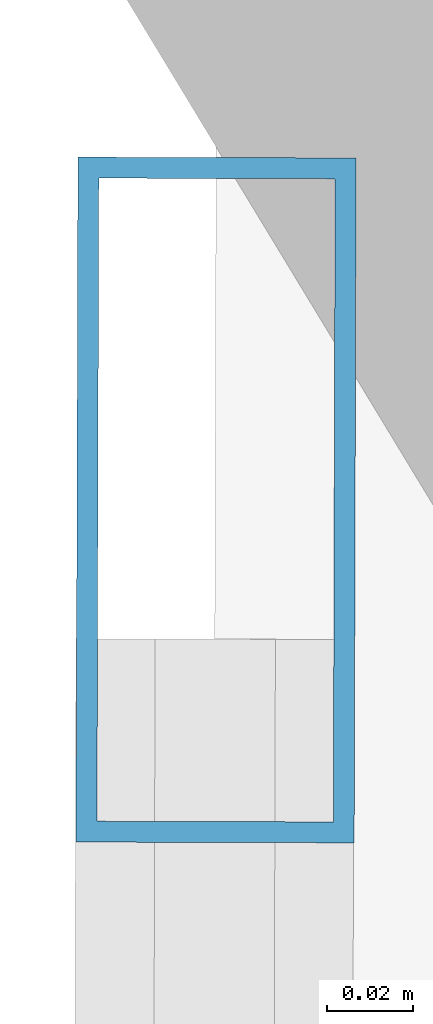
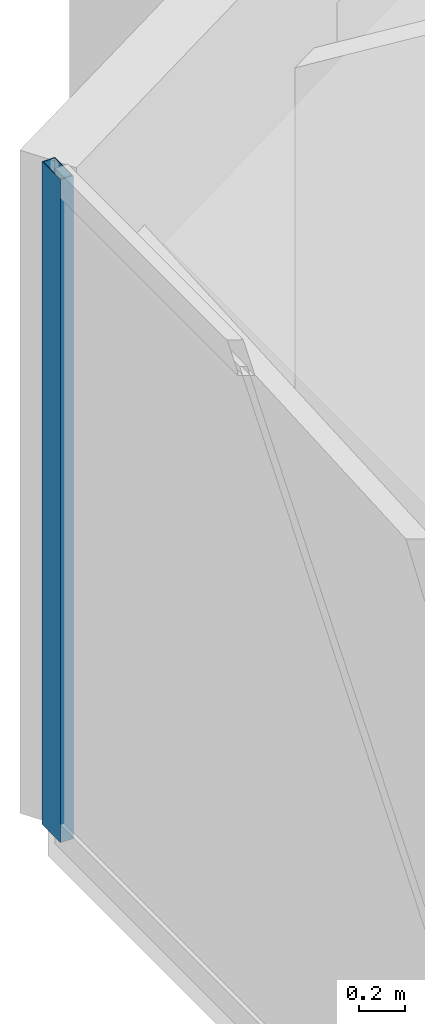
# One storey, part 11 of 23: 1 member, 1 element without a shape of its own.
"""IFC4 building model written with IfcOpenShell, lengths in metres."""

from ifc_helpers import new_model, si_unit, direction, frame, origin, origin_2d, place, context, subcontext, project, spatial, hollow_rectangle, extrude, material, layer, layer_set, material_profile, profile_set, type_object, element, aggregate, save


model = new_model("IFC4")

# Units and contexts
model_context = context("Model", 3, precision=1e-05, world=origin(), true_north=direction((0.0, 1.0)))
body_context = subcontext(model_context, "Body", "Model", "MODEL_VIEW")
ifc_project = project(units=[si_unit("LENGTHUNIT", "METRE"), si_unit("AREAUNIT", "SQUARE_METRE"), si_unit("VOLUMEUNIT", "CUBIC_METRE"), si_unit("PLANEANGLEUNIT", "RADIAN"), si_unit("MASSUNIT", "GRAM", prefix="KILO")], contexts=[model_context])

# Site, building, storey
site_placement = place(None, origin())
site = spatial("IfcSite", under=ifc_project, at=site_placement, CompositionType="ELEMENT")
building_placement = place(site_placement, origin())
building = spatial("IfcBuilding", under=site, at=building_placement, Name="Qianvela Tower", CompositionType="ELEMENT")
storey_placement = place(building_placement, frame((0.0, 0.0, 147.60009765625)))
storey = spatial("IfcBuildingStorey", under=building, at=storey_placement, Name="L37", CompositionType="ELEMENT", Elevation=147.60009765625)

# Curtain wall, member
ifc_material_1 = material(Name="Anodised Architectural Aluminium and Low-E Glass", Category="aluminium")
ifc_layer = layer(ifc_material_1, 0.169921875)
ifc_layer_set = layer_set([ifc_layer], Name="Anodised Architectural Aluminium and Low-E Glass")
curtain_wall_type = type_object("IfcCurtainWallType", Name="CW-COLIV-Z34", PredefinedType="USERDEFINED", material=ifc_layer_set)
curtain_wall_placement = place(storey_placement, origin())
curtain_wall = element("IfcCurtainWall", 1, at=curtain_wall_placement, inside=storey, type_object=curtain_wall_type, Name="L37 CW-COLIV-Z34 Curtain Wall 04A", ObjectType="CURTAIN_WALL_SYSTEM", PredefinedType="USERDEFINED")
ifc_material_2 = material(Name="Anodised Architectural Aluminium 6063-T6", Category="aluminium")
ifc_material_profile = material_profile(ifc_material_2, hollow_rectangle(XDim=0.06494140625, YDim=0.159912109375, WallThickness=0.0048828125, at=origin_2d()), Name="ALU-MULL-65x160")
ifc_profile_set = profile_set([ifc_material_profile], Name="Anodised Architectural Aluminium 6063-T6")
member_type = type_object("IfcMemberType", Name="CW-COLIV-Z34-MULL", PredefinedType="MULLION", material=ifc_profile_set)
member_placement = place(storey_placement, frame((21.589599609375, 38.31982421875, 0.0), z_axis=(0.0, 0.0, 1.0), x_axis=(0.999996103843, -0.002791468947, 0.0)))
member = element("IfcMember", 2, at=member_placement, type_object=member_type, Name="CW-4 mullion 1", PredefinedType="MULLION", context=body_context, shape_type="SweptSolid", body=[
    extrude(hollow_rectangle(XDim=0.06494140625, YDim=0.159912109375, WallThickness=0.0048828125, at=origin_2d()), origin(), (0.0, 0.0, 1.0), 3.52001953125),
])
aggregate(curtain_wall, [member])

save(model, "model.ifc")
